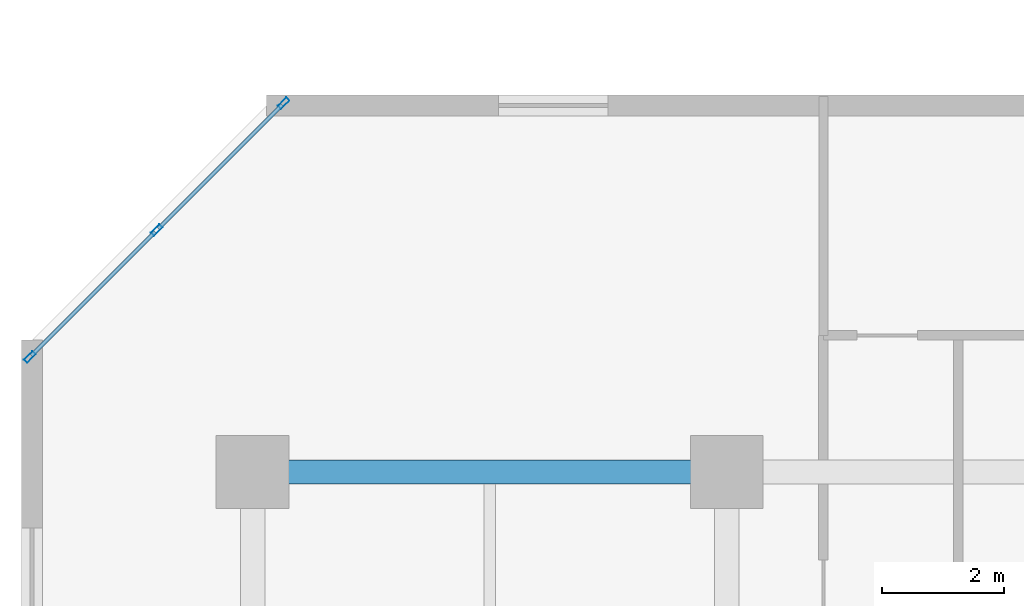
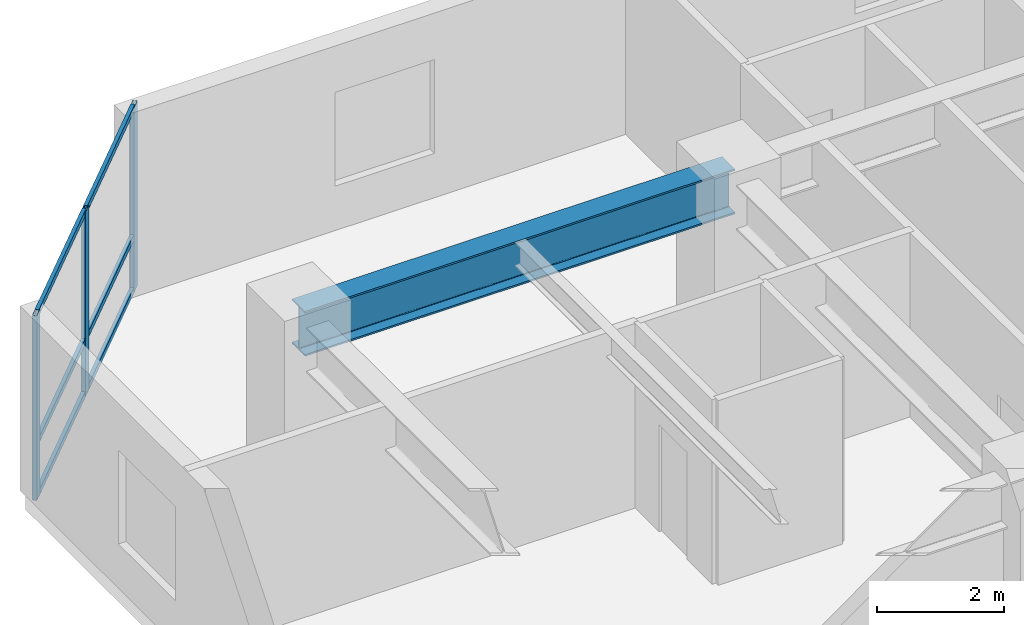
# One storey, part 3 of 11: 9 members, 1 beam, 1 element without a shape of its own.
"""IFC4 building model written with IfcOpenShell, lengths in metres."""

from ifc_helpers import new_model, si_unit, direction, frame, origin, origin_2d, place, context, subcontext, project, spatial, hollow_rectangle, i_section, extrude, material, layer, layer_set, material_profile, profile_set, type_object, element, aggregate, save


model = new_model("IFC4")

# Units and contexts
model_context = context("Model", 3, precision=1e-05, world=origin(), true_north=direction((0.0, 1.0)))
body_context = subcontext(model_context, "Body", "Model", "MODEL_VIEW")
ifc_project = project(units=[si_unit("LENGTHUNIT", "METRE"), si_unit("AREAUNIT", "SQUARE_METRE"), si_unit("VOLUMEUNIT", "CUBIC_METRE"), si_unit("PLANEANGLEUNIT", "RADIAN"), si_unit("MASSUNIT", "GRAM", prefix="KILO")], contexts=[model_context])

# Site, building, storey
site_placement = place(None, origin())
site = spatial("IfcSite", under=ifc_project, at=site_placement, CompositionType="ELEMENT")
building_placement = place(site_placement, origin())
building = spatial("IfcBuilding", under=site, at=building_placement, Name="Kestravale Grand Hotel", CompositionType="ELEMENT")
storey_placement = place(building_placement, frame((0.0, 0.0, 114.60009765625)))
storey = spatial("IfcBuildingStorey", under=building, at=storey_placement, Name="L28", CompositionType="ELEMENT", Elevation=114.60009765625)

# Beam
ifc_material_1 = material(Name="Steel ASTM A992 Grade 50", Category="steel")
ifc_material_profile_1 = material_profile(ifc_material_1, i_section(OverallWidth=0.40087890625, OverallDepth=0.861083984375, WebThickness=0.019775390625, FlangeThickness=0.032470703125, FilletRadius=0.0234375, at=origin_2d()))
ifc_profile_set_1 = profile_set([ifc_material_profile_1], Name="Steel ASTM A992 Grade 50")
beam_type = type_object("IfcBeamType", Name="B-GRD-W33", PredefinedType="BEAM", material=ifc_profile_set_1)
beam_placement = place(storey_placement, frame((7.800048828125, 38.39990234375, 3.109375), z_axis=(1.0, 0.0, 0.0), x_axis=(0.0, 1.0, 0.0)))
element("IfcBeam", 1, at=beam_placement, inside=storey, type_object=beam_type, Name="L28 girder F:2-3", PredefinedType="BEAM", context=body_context, shape_type="SweptSolid", body=[
    extrude(i_section(OverallWidth=0.40087890625, OverallDepth=0.861083984375, WebThickness=0.019775390625, FlangeThickness=0.032470703125, FilletRadius=0.0234375, at=origin_2d()), origin(), (0.0, 0.0, 1.0), 7.800048828125),
])

# Curtain wall, members
ifc_material_2 = material(Name="Thermally broken champagne-bronze aluminium and low-E glazing", Category="aluminium")
ifc_layer = layer(ifc_material_2, 0.199951171875)
ifc_layer_set = layer_set([ifc_layer], Name="CW-Z2")
curtain_wall_type = type_object("IfcCurtainWallType", Name="CW-Z2", PredefinedType="NOTDEFINED", material=ifc_layer_set)
curtain_wall_placement = place(storey_placement, origin())
curtain_wall = element("IfcCurtainWall", 2, at=curtain_wall_placement, inside=storey, type_object=curtain_wall_type, Name="L28 unitised curtain wall 18", PredefinedType="NOTDEFINED")
ifc_material_3 = material(Name="Aluminium 6063-T6 anodised", Category="aluminium")
ifc_material_profile_2 = material_profile(ifc_material_3, hollow_rectangle(XDim=0.074951171875, YDim=0.199951171875, WallThickness=0.00390625, at=origin_2d()))
ifc_profile_set_2 = profile_set([ifc_material_profile_2], Name="Aluminium 6063-T6 anodised")
member_type_1 = type_object("IfcMemberType", Name="CW-MUL-200", PredefinedType="MULLION", material=ifc_profile_set_2)
member_1_placement = place(storey_placement, frame((8.307861328125, 44.467529296875, 0.0), z_axis=(0.0, 0.0, 1.0), x_axis=(0.707106781187, -0.707106781187, 0.0)))
member_1 = element("IfcMember", 3, at=member_1_placement, type_object=member_type_1, Name="CW-Z2 mullion 1", PredefinedType="MULLION", context=body_context, shape_type="SweptSolid", body=[
    extrude(hollow_rectangle(XDim=0.074951171875, YDim=0.199951171875, WallThickness=0.00390625, at=origin_2d()), origin(), (0.0, 0.0, 1.0), 3.539794921875),
])
member_2_placement = place(storey_placement, frame((6.22021484375, 42.3798828125, 0.0), z_axis=(0.0, 0.0, 1.0), x_axis=(0.707106781187, -0.707106781187, 0.0)))
member_2 = element("IfcMember", 4, at=member_2_placement, type_object=member_type_1, Name="CW-Z2 mullion 2", PredefinedType="MULLION", context=body_context, shape_type="SweptSolid", body=[
    extrude(hollow_rectangle(XDim=0.074951171875, YDim=0.199951171875, WallThickness=0.00390625, at=origin_2d()), origin(), (0.0, 0.0, 1.0), 3.539794921875),
])
member_3_placement = place(storey_placement, frame((4.132568359375, 40.292236328125, 0.0), z_axis=(0.0, 0.0, 1.0), x_axis=(0.707106781187, -0.707106781187, 0.0)))
member_3 = element("IfcMember", 5, at=member_3_placement, type_object=member_type_1, Name="CW-Z2 mullion 3", PredefinedType="MULLION", context=body_context, shape_type="SweptSolid", body=[
    extrude(hollow_rectangle(XDim=0.074951171875, YDim=0.199951171875, WallThickness=0.00390625, at=origin_2d()), origin(), (0.0, 0.0, 1.0), 3.539794921875),
])
ifc_material_4 = material(Name="Aluminium 6063-T6 anodised", Category="aluminium")
ifc_material_profile_3 = material_profile(ifc_material_4, hollow_rectangle(XDim=0.06494140625, YDim=0.114990234375, WallThickness=0.003173828125, at=origin_2d()))
ifc_profile_set_3 = profile_set([ifc_material_profile_3], Name="Aluminium 6063-T6 anodised")
member_type_2 = type_object("IfcMemberType", Name="CW-TRN-115", PredefinedType="USERDEFINED", material=ifc_profile_set_3)
member_4_placement = place(storey_placement, frame((8.28125, 44.44091796875, 0.032470703125), z_axis=(-0.707064354356, -0.707149205472, 0.0), x_axis=(0.707149205472, -0.707064354356, 0.0)))
member_4 = element("IfcMember", 6, at=member_4_placement, type_object=member_type_2, Name="CW-Z2 transom 1.1", ObjectType="TRANSOM", PredefinedType="USERDEFINED", context=body_context, shape_type="SweptSolid", body=[
    extrude(hollow_rectangle(XDim=0.06494140625, YDim=0.114990234375, WallThickness=0.003173828125, at=origin_2d()), origin(), (0.0, 0.0, 1.0), 2.877197265625),
])
member_5_placement = place(storey_placement, frame((8.28125, 44.44091796875, 1.0498046875), z_axis=(-0.707064354356, -0.707149205472, 0.0), x_axis=(0.707149205472, -0.707064354356, 0.0)))
member_5 = element("IfcMember", 7, at=member_5_placement, type_object=member_type_2, Name="CW-Z2 transom 1.2", ObjectType="TRANSOM", PredefinedType="USERDEFINED", context=body_context, shape_type="SweptSolid", body=[
    extrude(hollow_rectangle(XDim=0.06494140625, YDim=0.114990234375, WallThickness=0.003173828125, at=origin_2d()), origin(), (0.0, 0.0, 1.0), 2.877197265625),
])
member_6_placement = place(storey_placement, frame((8.28125, 44.44091796875, 3.50732421875), z_axis=(-0.707064354356, -0.707149205472, 0.0), x_axis=(0.707149205472, -0.707064354356, 0.0)))
member_6 = element("IfcMember", 8, at=member_6_placement, type_object=member_type_2, Name="CW-Z2 transom 1.3", ObjectType="TRANSOM", PredefinedType="USERDEFINED", context=body_context, shape_type="SweptSolid", body=[
    extrude(hollow_rectangle(XDim=0.06494140625, YDim=0.114990234375, WallThickness=0.003173828125, at=origin_2d()), origin(), (0.0, 0.0, 1.0), 2.877197265625),
])
member_7_placement = place(storey_placement, frame((6.193603515625, 42.353271484375, 0.032470703125), z_axis=(-0.707106781187, -0.707106781187, 0.0), x_axis=(0.707106781187, -0.707106781187, 0.0)))
member_7 = element("IfcMember", 9, at=member_7_placement, type_object=member_type_2, Name="CW-Z2 transom 2.1", ObjectType="TRANSOM", PredefinedType="USERDEFINED", context=body_context, shape_type="SweptSolid", body=[
    extrude(hollow_rectangle(XDim=0.06494140625, YDim=0.114990234375, WallThickness=0.003173828125, at=origin_2d()), origin(), (0.0, 0.0, 1.0), 2.87744140625),
])
member_8_placement = place(storey_placement, frame((6.193603515625, 42.353271484375, 1.0498046875), z_axis=(-0.707106781187, -0.707106781187, 0.0), x_axis=(0.707106781187, -0.707106781187, 0.0)))
member_8 = element("IfcMember", 10, at=member_8_placement, type_object=member_type_2, Name="CW-Z2 transom 2.2", ObjectType="TRANSOM", PredefinedType="USERDEFINED", context=body_context, shape_type="SweptSolid", body=[
    extrude(hollow_rectangle(XDim=0.06494140625, YDim=0.114990234375, WallThickness=0.003173828125, at=origin_2d()), origin(), (0.0, 0.0, 1.0), 2.87744140625),
])
member_9_placement = place(storey_placement, frame((6.193603515625, 42.353271484375, 3.50732421875), z_axis=(-0.707106781187, -0.707106781187, 0.0), x_axis=(0.707106781187, -0.707106781187, 0.0)))
member_9 = element("IfcMember", 11, at=member_9_placement, type_object=member_type_2, Name="CW-Z2 transom 2.3", ObjectType="TRANSOM", PredefinedType="USERDEFINED", context=body_context, shape_type="SweptSolid", body=[
    extrude(hollow_rectangle(XDim=0.06494140625, YDim=0.114990234375, WallThickness=0.003173828125, at=origin_2d()), origin(), (0.0, 0.0, 1.0), 2.87744140625),
])
aggregate(curtain_wall, [member_1, member_2, member_3, member_4, member_5, member_6, member_7, member_8, member_9])

save(model, "model.ifc")
